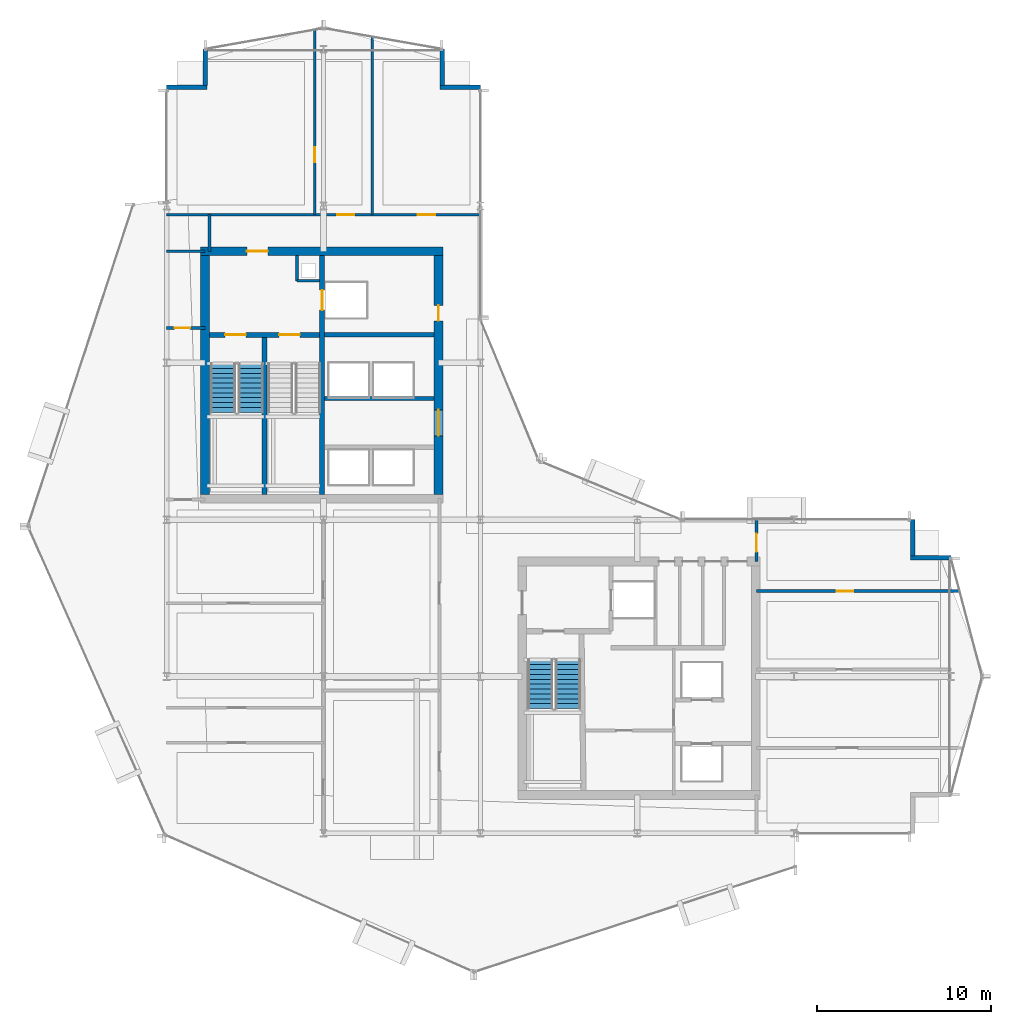
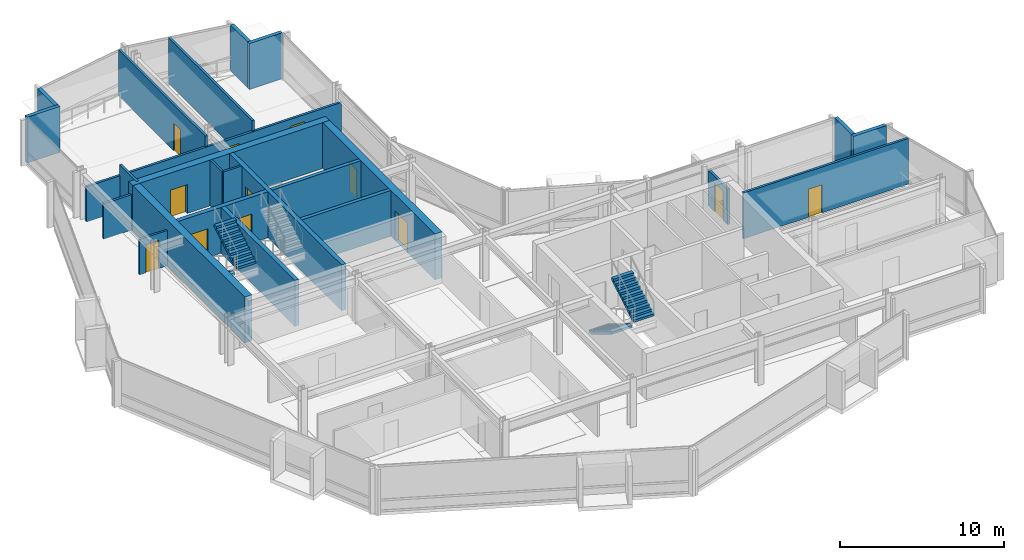
# One storey, part 23 of 29: 24 walls, 12 doors, 4 stair flights, 12 openings, 2 elements without a shape of their own.
"""IFC4 building model written with IfcOpenShell, lengths in metres."""

from ifc_helpers import new_model, si_unit, direction, frame, frame_2d, origin, place, context, subcontext, project, spatial, polyline, rectangle, outline, extrude, material, layer, layer_set, type_object, element, fill, aggregate, save


model = new_model("IFC4")

# Units and contexts
model_context = context("Model", 3, precision=1e-05, world=origin(), true_north=direction((0.0, 1.0)))
body_context = subcontext(model_context, "Body", "Model", "MODEL_VIEW")
ifc_project = project(units=[si_unit("LENGTHUNIT", "METRE"), si_unit("AREAUNIT", "SQUARE_METRE"), si_unit("VOLUMEUNIT", "CUBIC_METRE"), si_unit("PLANEANGLEUNIT", "RADIAN"), si_unit("MASSUNIT", "GRAM", prefix="KILO")], contexts=[model_context])

# Site, building, storey
site_placement = place(None, origin())
site = spatial("IfcSite", under=ifc_project, at=site_placement, CompositionType="ELEMENT")
building_placement = place(site_placement, origin())
building = spatial("IfcBuilding", under=site, at=building_placement, Name="Solvaryn Broadcast Tower", CompositionType="ELEMENT")
storey_placement = place(building_placement, frame((0.0, 0.0, 147.0)))
storey = spatial("IfcBuildingStorey", under=building, at=storey_placement, Name="L36", CompositionType="ELEMENT", Elevation=147.0)

# Wall, opening, door
ifc_material_1 = material(Name="Concrete f'c 70 MPa", Category="concrete")
ifc_layer_1 = layer(ifc_material_1, 0.5)
ifc_layer_set_1 = layer_set([ifc_layer_1], Name="CW-SHEAR-500")
wall_type_1 = type_object("IfcWallType", Name="CW-SHEAR-500", PredefinedType="SHEAR", material=ifc_layer_set_1)
wall_1_placement = place(storey_placement, frame((24.85009765625, 42.39990234375, 0.0), z_axis=(0.0, 0.0, 1.0), x_axis=(-1.0, 0.0, 0.0)))
wall_1 = element("IfcWall", 1, at=wall_1_placement, inside=storey, type_object=wall_type_1, Name="L36 West Core North Shear Wall", PredefinedType="SHEAR", context=body_context, shape_type="SweptSolid", body=[
    extrude(rectangle(XDim=13.900146484375, YDim=0.5, at=frame_2d((6.9501953125, 0.0))), origin(), (0.0, 0.0, 1.0), 3.419921875),
])
opening_1_placement = place(wall_1_placement, frame((10.050048828125, 0.0, 0.0)))
opening_1 = element("IfcOpeningElement", 2, at=opening_1_placement, cuts=wall_1, Name="Opening FD90A", PredefinedType="OPENING", context=body_context, shape_type="SweptSolid", body=[
    extrude(rectangle(XDim=1.199951171875, YDim=2.14990234375, at=frame_2d((0.60009765625, 1.074951171875))), frame((0.0, 0.260009765625, 0.0), z_axis=(0.0, -1.0, 0.0), x_axis=(1.0, 0.0, 0.0)), (0.0, 0.0, 1.0), 0.52001953125),
])
ifc_material_2 = material(Name="Flush Acoustic Steel and Timber Door Assembly", Category="steel")
door_type_1 = type_object("IfcDoorType", Name="FD90-STAIR-1200X2150", OperationType="NOTDEFINED", PredefinedType="DOOR", material=ifc_material_2)
door_1_placement = place(opening_1_placement, origin())
door_1 = element("IfcDoor", 3, at=door_1_placement, inside=storey, type_object=door_type_1, Name="L36 West FSAE Lobby Corridor Door", OperationType="SINGLE_SWING_LEFT", OverallHeight=2.14990234375, OverallWidth=1.199951171875, PredefinedType="DOOR", context=body_context, shape_type="SweptSolid", body=[
    extrude(rectangle(XDim=1.199951171875, YDim=2.14990234375, at=frame_2d((0.60009765625, 1.074951171875))), frame((0.0, 0.02490234375, 0.0), z_axis=(0.0, -1.0, 0.0), x_axis=(1.0, 0.0, 0.0)), (0.0, 0.0, 1.0), 0.050048828125),
])
fill(opening_1, door_1)

# Wall
wall_2_placement = place(storey_placement, frame((11.199951171875, 42.14990234375, 0.0), z_axis=(0.0, 0.0, 1.0), x_axis=(0.0, -1.0, 0.0)))
element("IfcWall", 4, at=wall_2_placement, inside=storey, type_object=wall_type_1, Name="L36 West Core West Shear Wall", PredefinedType="SHEAR", context=body_context, shape_type="SweptSolid", body=[
    extrude(rectangle(XDim=13.699951171875, YDim=0.5, at=frame_2d((6.85009765625, 0.0))), origin(), (0.0, 0.0, 1.0), 3.419921875),
])

# Wall, openings, doors
wall_3_placement = place(storey_placement, frame((24.60009765625, 28.449951171875, 0.0), z_axis=(0.0, 0.0, 1.0), x_axis=(0.0, 1.0, 0.0)))
wall_3 = element("IfcWall", 5, at=wall_3_placement, inside=storey, type_object=wall_type_1, Name="L36 West Core East Shear Wall", PredefinedType="SHEAR", context=body_context, shape_type="SweptSolid", body=[
    extrude(rectangle(XDim=13.699951171875, YDim=0.5, at=frame_2d((6.85009765625, 0.0))), origin(), (0.0, 0.0, 1.0), 3.419921875),
])
opening_2_placement = place(wall_3_placement, frame((3.35009765625, 0.0, 0.0)))
opening_2 = element("IfcOpeningElement", 6, at=opening_2_placement, cuts=wall_3, Name="Opening FD60A", PredefinedType="OPENING", context=body_context, shape_type="SweptSolid", body=[
    extrude(rectangle(XDim=1.5, YDim=2.199951171875, at=frame_2d((0.75, 1.10009765625))), frame((0.0, 0.260009765625, 0.0), z_axis=(0.0, -1.0, 0.0), x_axis=(1.0, 0.0, 0.0)), (0.0, 0.0, 1.0), 0.52001953125),
])
opening_3_placement = place(wall_3_placement, frame((9.949951171875, 0.0, 0.0)))
opening_3 = element("IfcOpeningElement", 7, at=opening_3_placement, cuts=wall_3, Name="Opening FD60C", PredefinedType="OPENING", context=body_context, shape_type="SweptSolid", body=[
    extrude(rectangle(XDim=0.89990234375, YDim=2.10009765625, at=frame_2d((0.449951171875, 1.050048828125))), frame((0.0, 0.260009765625, 0.0), z_axis=(0.0, -1.0, 0.0), x_axis=(1.0, 0.0, 0.0)), (0.0, 0.0, 1.0), 0.52001953125),
])
ifc_material_3 = material(Name="Flush Acoustic Steel and Timber Door Assembly", Category="steel")
door_type_2 = type_object("IfcDoorType", Name="FD60-CORR-1500X2200", OperationType="NOTDEFINED", PredefinedType="DOOR", material=ifc_material_3)
door_2_placement = place(opening_2_placement, origin())
door_2 = element("IfcDoor", 8, at=door_2_placement, inside=storey, type_object=door_type_2, Name="L36 West Elevator Lobby Corridor Door", OperationType="DOUBLE_DOOR_SINGLE_SWING", OverallHeight=2.199951171875, OverallWidth=1.5, PredefinedType="DOOR", context=body_context, shape_type="SweptSolid", body=[
    extrude(rectangle(XDim=1.5, YDim=2.199951171875, at=frame_2d((0.75, 1.10009765625))), frame((0.0, 0.02490234375, 0.0), z_axis=(0.0, -1.0, 0.0), x_axis=(1.0, 0.0, 0.0)), (0.0, 0.0, 1.0), 0.050048828125),
])
fill(opening_2, door_2)
ifc_material_4 = material(Name="Flush Acoustic Steel and Timber Door Assembly", Category="steel")
door_type_3 = type_object("IfcDoorType", Name="FD60-SERV-900X2100", OperationType="NOTDEFINED", PredefinedType="DOOR", material=ifc_material_4)
door_3_placement = place(opening_3_placement, origin())
door_3 = element("IfcDoor", 9, at=door_3_placement, inside=storey, type_object=door_type_3, Name="L36 West Core Service Door 1", OperationType="SINGLE_SWING_LEFT", OverallHeight=2.10009765625, OverallWidth=0.89990234375, PredefinedType="DOOR", context=body_context, shape_type="SweptSolid", body=[
    extrude(rectangle(XDim=0.89990234375, YDim=2.10009765625, at=frame_2d((0.449951171875, 1.050048828125))), frame((0.0, 0.02490234375, 0.0), z_axis=(0.0, -1.0, 0.0), x_axis=(1.0, 0.0, 0.0)), (0.0, 0.0, 1.0), 0.050048828125),
])
fill(opening_3, door_3)

# Walls
ifc_material_5 = material(Name="Concrete f'c 50 MPa", Category="concrete")
ifc_layer_2 = layer(ifc_material_5, 0.260009765625)
ifc_layer_set_2 = layer_set([ifc_layer_2], Name="EW-PIER-260")
wall_type_2 = type_object("IfcWallType", Name="EW-PIER-260", PredefinedType="SOLIDWALL", material=ifc_layer_set_2)
wall_4_placement = place(storey_placement, frame((9.0, 51.800048828125, 0.0), z_axis=(0.0, 0.0, 1.0), x_axis=(1.0, 0.0, 0.0)))
element("IfcWall", 10, at=wall_4_placement, inside=storey, type_object=wall_type_2, Name="L36 Notched Corner Pier Wall NNW1", PredefinedType="SOLIDWALL", context=body_context, shape_type="SweptSolid", body=[
    extrude(rectangle(XDim=2.320068359375, YDim=0.260009765625, at=frame_2d((1.16015625, 0.0))), origin(), (0.0, 0.0, 1.0), 3.419921875),
])
for number, where, z_axis, x_axis, name in (
    (11, (11.199951171875, 51.919921875, 0.0), (0.0, 0.0, 1.0), (0.0, 1.0, 0.0), "L36 Notched Corner Pier Wall NNW2"),
    (12, (24.800048828125, 54.0, 0.0), (0.0, 0.0, 1.0), (0.0, -1.0, 0.0), "L36 Notched Corner Pier Wall NNE1"),
):
    element("IfcWall", number, at=place(storey_placement, frame(where, z_axis=z_axis, x_axis=x_axis)), inside=storey, type_object=wall_type_2, Name=name, PredefinedType="SOLIDWALL", context=body_context, shape_type="SweptSolid", body=[
        extrude(rectangle(XDim=2.080078125, YDim=0.260009765625, at=frame_2d((1.0400390625, 0.0))), origin(), (0.0, 0.0, 1.0), 3.419921875),
    ])
for number, where, z_axis, x_axis, name in (
    (13, (24.679931640625, 51.800048828125, 0.0), (0.0, 0.0, 1.0), (1.0, 0.0, 0.0), "L36 Notched Corner Pier Wall NNE2"),
    (14, (54.0, 24.800048828125, 0.0), (0.0, 0.0, 1.0), (-1.0, 0.0, 0.0), "L36 Notched Corner Pier Wall NEE1"),
):
    element("IfcWall", number, at=place(storey_placement, frame(where, z_axis=z_axis, x_axis=x_axis)), inside=storey, type_object=wall_type_2, Name=name, PredefinedType="SOLIDWALL", context=body_context, shape_type="SweptSolid", body=[
        extrude(rectangle(XDim=2.320068359375, YDim=0.260009765625, at=frame_2d((1.16015625, 0.0))), origin(), (0.0, 0.0, 1.0), 3.419921875),
    ])
wall_5_placement = place(storey_placement, frame((51.800048828125, 24.919921875, 0.0), z_axis=(0.0, 0.0, 1.0), x_axis=(0.0, 1.0, 0.0)))
element("IfcWall", 15, at=wall_5_placement, inside=storey, type_object=wall_type_2, Name="L36 Notched Corner Pier Wall NEE2", PredefinedType="SOLIDWALL", context=body_context, shape_type="SweptSolid", body=[
    extrude(rectangle(XDim=2.080078125, YDim=0.260009765625, at=frame_2d((1.0400390625, 0.0))), origin(), (0.0, 0.0, 1.0), 3.419921875),
])
ifc_material_6 = material(Name="Metal-Stud Service Core Partition")
ifc_layer_3 = layer(ifc_material_6, 0.14990234375)
ifc_layer_set_3 = layer_set([ifc_layer_3], Name="IW-PART-150")
wall_type_3 = type_object("IfcWallType", Name="IW-PART-150", PredefinedType="PARTITIONING", material=ifc_layer_set_3)
wall_6_placement = place(storey_placement, frame((16.47998046875, 40.699951171875, 0.0), z_axis=(0.0, 0.0, 1.0), x_axis=(1.0, 0.0, 0.0)))
element("IfcWall", 16, at=wall_6_placement, inside=storey, type_object=wall_type_3, Name="L36 West Core Riser Shaft South Wall", PredefinedType="PARTITIONING", context=body_context, shape_type="SweptSolid", body=[
    extrude(rectangle(XDim=1.2900390625, YDim=0.14990234375, at=frame_2d((0.64501953125, 0.0))), origin(), (0.0, 0.0, 1.0), 3.419921875),
])
wall_7_placement = place(storey_placement, frame((16.47998046875, 40.699951171875, 0.0), z_axis=(0.0, 0.0, 1.0), x_axis=(0.0, 1.0, 0.0)))
element("IfcWall", 17, at=wall_7_placement, inside=storey, type_object=wall_type_3, Name="L36 West Core Riser Shaft West Wall", PredefinedType="PARTITIONING", context=body_context, shape_type="SweptSolid", body=[
    extrude(rectangle(XDim=1.449951171875, YDim=0.14990234375, at=frame_2d((0.72509765625, 0.0))), origin(), (0.0, 0.0, 1.0), 3.419921875),
])

# Wall, opening, door
wall_8_placement = place(storey_placement, frame((9.0, 38.0, 0.0), z_axis=(0.0, 0.0, 1.0), x_axis=(1.0, 0.0, 0.0)))
wall_8 = element("IfcWall", 18, at=wall_8_placement, inside=storey, type_object=wall_type_3, Name="L36 Interior Partition IW-L36-WM-M", PredefinedType="PARTITIONING", context=body_context, shape_type="SweptSolid", body=[
    extrude(rectangle(XDim=2.199951171875, YDim=0.14990234375, at=frame_2d((1.10009765625, 0.0))), origin(), (0.0, 0.0, 1.0), 2.634033203125),
])
opening_4_placement = place(wall_8_placement, frame((0.449951171875, 0.0, 0.0)))
opening_4 = element("IfcOpeningElement", 19, at=opening_4_placement, cuts=wall_8, Name="Opening FD60C", PredefinedType="OPENING", context=body_context, shape_type="SweptSolid", body=[
    extrude(rectangle(XDim=0.89990234375, YDim=2.10009765625, at=frame_2d((0.449951171875, 1.050048828125))), frame((0.0, 0.0849609375, 0.0), z_axis=(0.0, -1.0, 0.0), x_axis=(1.0, 0.0, 0.0)), (0.0, 0.0, 1.0), 0.169921875),
])
door_4_placement = place(opening_4_placement, origin())
door_4 = element("IfcDoor", 20, at=door_4_placement, inside=storey, type_object=door_type_3, Name="L36 Door DR-L36-WM1", OperationType="SINGLE_SWING_LEFT", OverallHeight=2.10009765625, OverallWidth=0.89990234375, PredefinedType="DOOR", context=body_context, shape_type="SweptSolid", body=[
    extrude(rectangle(XDim=0.89990234375, YDim=2.10009765625, at=frame_2d((0.449951171875, 1.050048828125))), frame((0.0, 0.02490234375, 0.0), z_axis=(0.0, -1.0, 0.0), x_axis=(1.0, 0.0, 0.0)), (0.0, 0.0, 1.0), 0.050048828125),
])
fill(opening_4, door_4)

# Walls
ifc_material_7 = material(Name="Metal-Stud Gypsum Office Partition")
ifc_layer_4 = layer(ifc_material_7, 0.159912109375)
ifc_layer_set_4 = layer_set([ifc_layer_4], Name="IW-PART-160")
wall_type_4 = type_object("IfcWallType", Name="IW-PART-160", PredefinedType="PARTITIONING", material=ifc_layer_set_4)
wall_9_placement = place(storey_placement, frame((9.0, 42.39990234375, 0.0), z_axis=(0.0, 0.0, 1.0), x_axis=(1.0, 0.0, 0.0)))
element("IfcWall", 21, at=wall_9_placement, inside=storey, type_object=wall_type_4, Name="L36 Interior Partition IW-L36-WM-N", PredefinedType="PARTITIONING", context=body_context, shape_type="SweptSolid", body=[
    extrude(rectangle(XDim=2.199951171875, YDim=0.159912109375, at=frame_2d((1.10009765625, 0.0))), origin(), (0.0, 0.0, 1.0), 2.634033203125),
])
wall_10_placement = place(storey_placement, frame((11.449951171875, 42.39990234375, 0.0), z_axis=(0.0, 0.0, 1.0), x_axis=(0.0, 1.0, 0.0)))
element("IfcWall", 22, at=wall_10_placement, inside=storey, type_object=wall_type_4, Name="L36 Interior Partition IW-L36-WM-E", PredefinedType="PARTITIONING", context=body_context, shape_type="SweptSolid", body=[
    extrude(rectangle(XDim=2.10009765625, YDim=0.159912109375, at=frame_2d((1.050048828125, 0.0))), origin(), (0.0, 0.0, 1.0), 3.419921875),
])

# Wall, openings, doors
wall_11_placement = place(storey_placement, frame((9.0, 44.5, 0.0), z_axis=(0.0, 0.0, 1.0), x_axis=(1.0, 0.0, 0.0)))
wall_11 = element("IfcWall", 23, at=wall_11_placement, inside=storey, type_object=wall_type_4, Name="L36 Interior Partition IW-L36-NW-SB", PredefinedType="PARTITIONING", context=body_context, shape_type="SweptSolid", body=[
    extrude(rectangle(XDim=18.0, YDim=0.159912109375, at=frame_2d((9.0, 0.0))), origin(), (0.0, 0.0, 1.0), 2.634033203125),
])
opening_5_placement = place(wall_11_placement, frame((9.800048828125, 0.0, 0.0)))
opening_5 = element("IfcOpeningElement", 24, at=opening_5_placement, cuts=wall_11, Name="Opening ID01", PredefinedType="OPENING", context=body_context, shape_type="SweptSolid", body=[
    extrude(rectangle(XDim=0.949951171875, YDim=2.10009765625, at=frame_2d((0.47509765625, 1.050048828125))), frame((0.0, 0.090087890625, 0.0), z_axis=(0.0, -1.0, 0.0), x_axis=(1.0, 0.0, 0.0)), (0.0, 0.0, 1.0), 0.179931640625),
])
opening_6_placement = place(wall_11_placement, frame((14.39990234375, 0.0, 0.0)))
opening_6 = element("IfcOpeningElement", 25, at=opening_6_placement, cuts=wall_11, Name="Opening ID02", PredefinedType="OPENING", context=body_context, shape_type="SweptSolid", body=[
    extrude(rectangle(XDim=1.0, YDim=2.10009765625, at=frame_2d((0.5, 1.050048828125))), frame((0.0, 0.090087890625, 0.0), z_axis=(0.0, -1.0, 0.0), x_axis=(1.0, 0.0, 0.0)), (0.0, 0.0, 1.0), 0.179931640625),
])
ifc_material_8 = material(Name="Flush Acoustic Steel and Timber Door Assembly", Category="steel")
door_type_4 = type_object("IfcDoorType", Name="ID-01-950X2100", OperationType="NOTDEFINED", PredefinedType="DOOR", material=ifc_material_8)
door_5_placement = place(opening_5_placement, origin())
door_5 = element("IfcDoor", 26, at=door_5_placement, inside=storey, type_object=door_type_4, Name="L36 Door DR-L36-NW-2", OperationType="SINGLE_SWING_RIGHT", OverallHeight=2.10009765625, OverallWidth=0.949951171875, PredefinedType="DOOR", context=body_context, shape_type="SweptSolid", body=[
    extrude(rectangle(XDim=0.949951171875, YDim=2.10009765625, at=frame_2d((0.47509765625, 1.050048828125))), frame((0.0, 0.02490234375, 0.0), z_axis=(0.0, -1.0, 0.0), x_axis=(1.0, 0.0, 0.0)), (0.0, 0.0, 1.0), 0.050048828125),
])
fill(opening_5, door_5)
ifc_material_9 = material(Name="Flush Acoustic Steel and Timber Door Assembly", Category="steel")
door_type_5 = type_object("IfcDoorType", Name="ID-02-1000X2100", OperationType="NOTDEFINED", PredefinedType="DOOR", material=ifc_material_9)
door_6_placement = place(opening_6_placement, origin())
door_6 = element("IfcDoor", 27, at=door_6_placement, inside=storey, type_object=door_type_5, Name="L36 Door DR-L36-NW-3", OperationType="SINGLE_SWING_LEFT", OverallHeight=2.10009765625, OverallWidth=1.0, PredefinedType="DOOR", context=body_context, shape_type="SweptSolid", body=[
    extrude(rectangle(XDim=1.0, YDim=2.10009765625, at=frame_2d((0.5, 1.050048828125))), frame((0.0, 0.02490234375, 0.0), z_axis=(0.0, -1.0, 0.0), x_axis=(1.0, 0.0, 0.0)), (0.0, 0.0, 1.0), 0.050048828125),
])
fill(opening_6, door_6)

# Wall, opening, door
wall_12_placement = place(storey_placement, frame((17.5, 44.5, 0.0), z_axis=(0.0, 0.0, 1.0), x_axis=(0.0, 1.0, 0.0)))
wall_12 = element("IfcWall", 28, at=wall_12_placement, inside=storey, type_object=wall_type_4, Name="L36 Interior Partition IW-L36-NW-V1", PredefinedType="PARTITIONING", context=body_context, shape_type="SweptSolid", body=[
    extrude(rectangle(XDim=10.612060546875, YDim=0.159912109375, at=frame_2d((5.30615234375, 0.0))), origin(), (0.0, 0.0, 1.0), 3.419921875),
])
opening_7_placement = place(wall_12_placement, frame((3.0, 0.0, 0.0)))
opening_7 = element("IfcOpeningElement", 29, at=opening_7_placement, cuts=wall_12, Name="Opening ID07", PredefinedType="OPENING", context=body_context, shape_type="SweptSolid", body=[
    extrude(rectangle(XDim=0.860107421875, YDim=2.050048828125, at=frame_2d((0.43017578125, 1.02490234375))), frame((0.0, 0.090087890625, 0.0), z_axis=(0.0, -1.0, 0.0), x_axis=(1.0, 0.0, 0.0)), (0.0, 0.0, 1.0), 0.179931640625),
])
ifc_material_10 = material(Name="Flush Acoustic Steel and Timber Door Assembly", Category="steel")
door_type_6 = type_object("IfcDoorType", Name="ID-07-860X2050", OperationType="NOTDEFINED", PredefinedType="DOOR", material=ifc_material_10)
door_7_placement = place(opening_7_placement, origin())
door_7 = element("IfcDoor", 30, at=door_7_placement, inside=storey, type_object=door_type_6, Name="L36 Door DR-L36-NW-C1", OperationType="SINGLE_SWING_LEFT", OverallHeight=2.050048828125, OverallWidth=0.860107421875, PredefinedType="DOOR", context=body_context, shape_type="SweptSolid", body=[
    extrude(rectangle(XDim=0.860107421875, YDim=2.050048828125, at=frame_2d((0.43017578125, 1.02490234375))), frame((0.0, 0.02490234375, 0.0), z_axis=(0.0, -1.0, 0.0), x_axis=(1.0, 0.0, 0.0)), (0.0, 0.0, 1.0), 0.050048828125),
])
fill(opening_7, door_7)

# Wall
wall_13_placement = place(storey_placement, frame((20.800048828125, 44.5, 0.0), z_axis=(0.0, 0.0, 1.0), x_axis=(0.0, 1.0, 0.0)))
element("IfcWall", 31, at=wall_13_placement, inside=storey, type_object=wall_type_4, Name="L36 Interior Partition IW-L36-NW-V2", PredefinedType="PARTITIONING", context=body_context, shape_type="SweptSolid", body=[
    extrude(rectangle(XDim=10.2060546875, YDim=0.159912109375, at=frame_2d((5.10302734375, 0.0))), origin(), (0.0, 0.0, 1.0), 3.419921875),
])

# Wall, opening, door
wall_14_placement = place(storey_placement, frame((42.85009765625, 24.60009765625, 0.0), z_axis=(0.0, 0.0, 1.0), x_axis=(0.0, 1.0, 0.0)))
wall_14 = element("IfcWall", 32, at=wall_14_placement, inside=storey, type_object=wall_type_4, Name="L36 Interior Partition IW-L36-EW-BN", PredefinedType="PARTITIONING", context=body_context, shape_type="SweptSolid", body=[
    extrude(rectangle(XDim=2.39990234375, YDim=0.159912109375, at=frame_2d((1.199951171875, 0.0))), origin(), (0.0, 0.0, 1.0), 2.634033203125),
])
opening_8_placement = place(wall_14_placement, frame((0.550048828125, 0.0, 0.0)))
opening_8 = element("IfcOpeningElement", 33, at=opening_8_placement, cuts=wall_14, Name="Opening ID03", PredefinedType="OPENING", context=body_context, shape_type="SweptSolid", body=[
    extrude(rectangle(XDim=1.050048828125, YDim=2.14990234375, at=frame_2d((0.52490234375, 1.074951171875))), frame((0.0, 0.090087890625, 0.0), z_axis=(0.0, -1.0, 0.0), x_axis=(1.0, 0.0, 0.0)), (0.0, 0.0, 1.0), 0.179931640625),
])
ifc_material_11 = material(Name="Flush Acoustic Steel and Timber Door Assembly", Category="steel")
door_type_7 = type_object("IfcDoorType", Name="ID-03-1050X2150", OperationType="NOTDEFINED", PredefinedType="DOOR", material=ifc_material_11)
door_8_placement = place(opening_8_placement, origin())
door_8 = element("IfcDoor", 34, at=door_8_placement, inside=storey, type_object=door_type_7, Name="L36 Door DR-L36-EW0", OperationType="SINGLE_SWING_RIGHT", OverallHeight=2.14990234375, OverallWidth=1.050048828125, PredefinedType="DOOR", context=body_context, shape_type="SweptSolid", body=[
    extrude(rectangle(XDim=1.050048828125, YDim=2.14990234375, at=frame_2d((0.52490234375, 1.074951171875))), frame((0.0, 0.02490234375, 0.0), z_axis=(0.0, -1.0, 0.0), x_axis=(1.0, 0.0, 0.0)), (0.0, 0.0, 1.0), 0.050048828125),
])
fill(opening_8, door_8)

wall_15_placement = place(storey_placement, frame((42.85009765625, 22.89990234375, 0.0), z_axis=(0.0, 0.0, 1.0), x_axis=(1.0, 0.0, 0.0)))
wall_15 = element("IfcWall", 35, at=wall_15_placement, inside=storey, type_object=wall_type_4, Name="L36 Interior Partition IW-L36-EW-H3", PredefinedType="PARTITIONING", context=body_context, shape_type="SweptSolid", body=[
    extrude(rectangle(XDim=11.65283203125, YDim=0.159912109375, at=frame_2d((5.826416015625, 0.0))), origin(), (0.0, 0.0, 1.0), 3.419921875),
])
opening_9_placement = place(wall_15_placement, frame((4.60009765625, 0.0, 0.0)))
opening_9 = element("IfcOpeningElement", 36, at=opening_9_placement, cuts=wall_15, Name="Opening ID01", PredefinedType="OPENING", context=body_context, shape_type="SweptSolid", body=[
    extrude(rectangle(XDim=0.949951171875, YDim=2.10009765625, at=frame_2d((0.47509765625, 1.050048828125))), frame((0.0, 0.090087890625, 0.0), z_axis=(0.0, -1.0, 0.0), x_axis=(1.0, 0.0, 0.0)), (0.0, 0.0, 1.0), 0.179931640625),
])
door_9_placement = place(opening_9_placement, origin())
door_9 = element("IfcDoor", 37, at=door_9_placement, inside=storey, type_object=door_type_4, Name="L36 Door DR-L36-EW-3", OperationType="SINGLE_SWING_LEFT", OverallHeight=2.10009765625, OverallWidth=0.949951171875, PredefinedType="DOOR", context=body_context, shape_type="SweptSolid", body=[
    extrude(rectangle(XDim=0.949951171875, YDim=2.10009765625, at=frame_2d((0.47509765625, 1.050048828125))), frame((0.0, 0.02490234375, 0.0), z_axis=(0.0, -1.0, 0.0), x_axis=(1.0, 0.0, 0.0)), (0.0, 0.0, 1.0), 0.050048828125),
])
fill(opening_9, door_9)

# Walls
ifc_material_12 = material(Name="Concrete f'c 60 MPa", Category="concrete")
ifc_layer_5 = layer(ifc_material_12, 0.25)
ifc_layer_set_5 = layer_set([ifc_layer_5], Name="SW-SHAFT-250")
wall_type_5 = type_object("IfcWallType", Name="SW-SHAFT-250", PredefinedType="PARTITIONING", material=ifc_layer_set_5)
for number, where, z_axis, x_axis, name in (
    (38, (18.070068359375, 37.60009765625, 0.0), (0.0, 0.0, 1.0), (1.0, 0.0, 0.0), "L36 West Core FSAE Hoistway Front Wall"),
    (39, (24.35009765625, 33.949951171875, 0.0), (0.0, 0.0, 1.0), (-1.0, 0.0, 0.0), "L36 High-Rise Lift Bank North Wall"),
):
    element("IfcWall", number, at=place(storey_placement, frame(where, z_axis=z_axis, x_axis=x_axis)), inside=storey, type_object=wall_type_5, Name=name, PredefinedType="PARTITIONING", context=body_context, shape_type="SweptSolid", body=[
        extrude(rectangle(XDim=6.280029296875, YDim=0.25, at=frame_2d((3.14013671875, 0.0))), origin(), (0.0, 0.0, 1.0), 3.419921875),
    ])
ifc_material_13 = material(Name="Concrete f'c 70 MPa", Category="concrete")
ifc_layer_6 = layer(ifc_material_13, 0.300048828125)
ifc_layer_set_6 = layer_set([ifc_layer_6], Name="SW-SHAFT-300")
wall_type_6 = type_object("IfcWallType", Name="SW-SHAFT-300", PredefinedType="SHEAR", material=ifc_layer_set_6)
wall_16_placement = place(storey_placement, frame((14.6201171875, 28.449951171875, 0.0), z_axis=(0.0, 0.0, 1.0), x_axis=(0.0, 1.0, 0.0)))
element("IfcWall", 40, at=wall_16_placement, inside=storey, type_object=wall_type_6, Name="L36 Stair 1-2 Dividing Wall", PredefinedType="SHEAR", context=body_context, shape_type="SweptSolid", body=[
    extrude(rectangle(XDim=9.0, YDim=0.300048828125, at=frame_2d((4.5, 0.0))), origin(), (0.0, 0.0, 1.0), 3.419921875),
])

# Wall, opening, door
wall_17_placement = place(storey_placement, frame((17.919921875, 42.14990234375, 0.0), z_axis=(0.0, 0.0, 1.0), x_axis=(0.0, -1.0, 0.0)))
wall_17 = element("IfcWall", 41, at=wall_17_placement, inside=storey, type_object=wall_type_6, Name="L36 West Core Stair-Lobby Shear Wall", PredefinedType="SHEAR", context=body_context, shape_type="SweptSolid", body=[
    extrude(rectangle(XDim=13.699951171875, YDim=0.300048828125, at=frame_2d((6.85009765625, 0.0))), origin(), (0.0, 0.0, 1.0), 3.419921875),
])
opening_10_placement = place(wall_17_placement, frame((1.97509765625, 0.0, 0.0)))
opening_10 = element("IfcOpeningElement", 42, at=opening_10_placement, cuts=wall_17, Name="Opening LD01", PredefinedType="OPENING", context=body_context, shape_type="SweptSolid", body=[
    extrude(rectangle(XDim=1.14990234375, YDim=2.14990234375, at=frame_2d((0.574951171875, 1.074951171875))), frame((0.0, 0.159912109375, 0.0), z_axis=(0.0, -1.0, 0.0), x_axis=(1.0, 0.0, 0.0)), (0.0, 0.0, 1.0), 0.320068359375),
])
ifc_material_14 = material(Name="Flush Acoustic Steel and Timber Door Assembly", Category="steel")
door_type_8 = type_object("IfcDoorType", Name="LD-LIFT-1150X2150", OperationType="NOTDEFINED", PredefinedType="DOOR", material=ifc_material_14)
door_10_placement = place(opening_10_placement, origin())
door_10 = element("IfcDoor", 43, at=door_10_placement, inside=storey, type_object=door_type_8, Name="L36 FL1 Lift Landing Door", OperationType="DOUBLE_DOOR_SLIDING", OverallHeight=2.14990234375, OverallWidth=1.14990234375, PredefinedType="DOOR", context=body_context, shape_type="SweptSolid", body=[
    extrude(rectangle(XDim=1.14990234375, YDim=2.14990234375, at=frame_2d((0.574951171875, 1.074951171875))), frame((0.0, 0.02490234375, 0.0), z_axis=(0.0, -1.0, 0.0), x_axis=(1.0, 0.0, 0.0)), (0.0, 0.0, 1.0), 0.050048828125),
])
fill(opening_10, door_10)

# Wall, openings, doors
wall_18_placement = place(storey_placement, frame((17.77001953125, 37.60009765625, 0.0), z_axis=(0.0, 0.0, 1.0), x_axis=(-1.0, 0.0, 0.0)))
wall_18 = element("IfcWall", 44, at=wall_18_placement, inside=storey, type_object=wall_type_6, Name="L36 West Core FSAE Lobby South Wall", PredefinedType="SHEAR", context=body_context, shape_type="SweptSolid", body=[
    extrude(rectangle(XDim=6.320068359375, YDim=0.300048828125, at=frame_2d((3.16015625, 0.0))), origin(), (0.0, 0.0, 1.0), 3.419921875),
])
opening_11_placement = place(wall_18_placement, frame((4.219970703125, 0.0, 0.0)))
opening_11 = element("IfcOpeningElement", 45, at=opening_11_placement, cuts=wall_18, Name="Opening FD90A", PredefinedType="OPENING", context=body_context, shape_type="SweptSolid", body=[
    extrude(rectangle(XDim=1.199951171875, YDim=2.14990234375, at=frame_2d((0.60009765625, 1.074951171875))), frame((0.0, 0.159912109375, 0.0), z_axis=(0.0, -1.0, 0.0), x_axis=(1.0, 0.0, 0.0)), (0.0, 0.0, 1.0), 0.320068359375),
])
opening_12_placement = place(wall_18_placement, frame((1.1201171875, 0.0, 0.0)))
opening_12 = element("IfcOpeningElement", 46, at=opening_12_placement, cuts=wall_18, Name="Opening FD90A", PredefinedType="OPENING", context=body_context, shape_type="SweptSolid", body=[
    extrude(rectangle(XDim=1.199951171875, YDim=2.14990234375, at=frame_2d((0.60009765625, 1.074951171875))), frame((0.0, 0.159912109375, 0.0), z_axis=(0.0, -1.0, 0.0), x_axis=(1.0, 0.0, 0.0)), (0.0, 0.0, 1.0), 0.320068359375),
])
door_11_placement = place(opening_11_placement, origin())
door_11 = element("IfcDoor", 47, at=door_11_placement, inside=storey, type_object=door_type_1, Name="L36 Stair 1 Fire Door", OperationType="SINGLE_SWING_LEFT", OverallHeight=2.14990234375, OverallWidth=1.199951171875, PredefinedType="DOOR", context=body_context, shape_type="SweptSolid", body=[
    extrude(rectangle(XDim=1.199951171875, YDim=2.14990234375, at=frame_2d((0.60009765625, 1.074951171875))), frame((0.0, 0.02490234375, 0.0), z_axis=(0.0, -1.0, 0.0), x_axis=(1.0, 0.0, 0.0)), (0.0, 0.0, 1.0), 0.050048828125),
])
fill(opening_11, door_11)
door_12_placement = place(opening_12_placement, origin())
door_12 = element("IfcDoor", 48, at=door_12_placement, inside=storey, type_object=door_type_1, Name="L36 Stair 2 Fire Door", OperationType="SINGLE_SWING_RIGHT", OverallHeight=2.14990234375, OverallWidth=1.199951171875, PredefinedType="DOOR", context=body_context, shape_type="SweptSolid", body=[
    extrude(rectangle(XDim=1.199951171875, YDim=2.14990234375, at=frame_2d((0.60009765625, 1.074951171875))), frame((0.0, 0.02490234375, 0.0), z_axis=(0.0, -1.0, 0.0), x_axis=(1.0, 0.0, 0.0)), (0.0, 0.0, 1.0), 0.050048828125),
])
fill(opening_12, door_12)

# Stair, stair flights
ifc_material_15 = material(Name="Concrete f'c 60 MPa", Category="concrete")
stair_type = type_object("IfcStairType", Name="ST-CORE", PredefinedType="HALF_TURN_STAIR", material=ifc_material_15)
stair_1_placement = place(storey_placement, origin())
stair_1 = element("IfcStair", 49, at=stair_1_placement, inside=storey, type_object=stair_type, Name="L36 ST1", PredefinedType="HALF_TURN_STAIR")
ifc_material_16 = material(Name="Concrete f'c 60 MPa", Category="concrete")
ifc_layer_7 = layer(ifc_material_16, 0.159912109375)
ifc_layer_set_7 = layer_set([ifc_layer_7], Name="SF-CORE")
stair_flight_type = type_object("IfcStairFlightType", Name="SF-CORE", PredefinedType="STRAIGHT", material=ifc_layer_set_7)
stair_flight_1_placement = place(storey_placement, frame((12.239990234375, 35.9599609375, 0.0), z_axis=(0.0, 0.0, 1.0), x_axis=(0.0, -1.0, 0.0)))
stair_flight_1 = element("IfcStairFlight", 50, at=stair_flight_1_placement, type_object=stair_flight_type, Name="ST1 flight 1", NumberOfRisers=11, NumberOfTreads=10, PredefinedType="STRAIGHT", RiserHeight=0.168181818, TreadLength=0.28, context=body_context, shape_type="SweptSolid", body=[
    extrude(outline(polyline([(0.0, 0.0), (0.0, 0.168212890625), (0.280029296875, 0.168212890625), (0.280029296875, 0.33642578125), (0.56005859375, 0.33642578125), (0.56005859375, 0.504638671875), (0.840087890625, 0.504638671875), (0.840087890625, 0.672607421875), (1.1201171875, 0.672607421875), (1.1201171875, 0.8408203125), (1.39990234375, 0.8408203125), (1.39990234375, 1.009033203125), (1.679931640625, 1.009033203125), (1.679931640625, 1.17724609375), (1.9599609375, 1.17724609375), (1.9599609375, 1.345458984375), (2.239990234375, 1.345458984375), (2.239990234375, 1.513671875), (2.52001953125, 1.513671875), (2.52001953125, 1.681884765625), (2.800048828125, 1.681884765625), (2.800048828125, 1.85009765625), (2.800048828125, 1.5068359375), (0.291015625, 0.0), (0.0, 0.0)])), frame((0.0, 0.719970703125, 0.0), z_axis=(0.0, -1.0, 0.0), x_axis=(1.0, 0.0, 0.0)), (0.0, 0.0, 1.0), 1.43994140625),
])
stair_flight_2_placement = place(storey_placement, frame((13.830078125, 33.159912109375, 1.85009765625), z_axis=(0.0, 0.0, 1.0), x_axis=(0.0, 1.0, 0.0)))
stair_flight_2 = element("IfcStairFlight", 51, at=stair_flight_2_placement, type_object=stair_flight_type, Name="ST1 flight 2", NumberOfRisers=11, NumberOfTreads=10, PredefinedType="STRAIGHT", RiserHeight=0.168181818, TreadLength=0.28, context=body_context, shape_type="SweptSolid", body=[
    extrude(outline(polyline([(0.0, 0.0), (0.0, 0.168212890625), (0.280029296875, 0.168212890625), (0.280029296875, 0.33642578125), (0.56005859375, 0.33642578125), (0.56005859375, 0.504638671875), (0.840087890625, 0.504638671875), (0.840087890625, 0.672607421875), (1.1201171875, 0.672607421875), (1.1201171875, 0.8408203125), (1.39990234375, 0.8408203125), (1.39990234375, 1.009033203125), (1.679931640625, 1.009033203125), (1.679931640625, 1.17724609375), (1.9599609375, 1.17724609375), (1.9599609375, 1.345458984375), (2.239990234375, 1.345458984375), (2.239990234375, 1.513671875), (2.52001953125, 1.513671875), (2.52001953125, 1.681884765625), (2.800048828125, 1.681884765625), (2.800048828125, 1.85009765625), (2.800048828125, 1.5068359375), (0.291015625, 0.0), (0.0, 0.0)])), frame((0.0, 0.719970703125, 0.0), z_axis=(0.0, -1.0, 0.0), x_axis=(1.0, 0.0, 0.0)), (0.0, 0.0, 1.0), 1.43994140625),
])
aggregate(stair_1, [stair_flight_1, stair_flight_2])

stair_2_placement = place(storey_placement, origin())
stair_2 = element("IfcStair", 52, at=stair_2_placement, inside=storey, type_object=stair_type, Name="L36 ST3", PredefinedType="HALF_TURN_STAIR")
stair_flight_3_placement = place(storey_placement, frame((30.43994140625, 18.9599609375, 0.0), z_axis=(0.0, 0.0, 1.0), x_axis=(0.0, -1.0, 0.0)))
stair_flight_3 = element("IfcStairFlight", 53, at=stair_flight_3_placement, type_object=stair_flight_type, Name="ST3 flight 1", NumberOfRisers=11, NumberOfTreads=10, PredefinedType="STRAIGHT", RiserHeight=0.168181818, TreadLength=0.28, context=body_context, shape_type="SweptSolid", body=[
    extrude(outline(polyline([(0.0, 0.0), (0.0, 0.168212890625), (0.280029296875, 0.168212890625), (0.280029296875, 0.33642578125), (0.56005859375, 0.33642578125), (0.56005859375, 0.504638671875), (0.840087890625, 0.504638671875), (0.840087890625, 0.672607421875), (1.1201171875, 0.672607421875), (1.1201171875, 0.8408203125), (1.39990234375, 0.8408203125), (1.39990234375, 1.009033203125), (1.679931640625, 1.009033203125), (1.679931640625, 1.17724609375), (1.9599609375, 1.17724609375), (1.9599609375, 1.345458984375), (2.239990234375, 1.345458984375), (2.239990234375, 1.513671875), (2.52001953125, 1.513671875), (2.52001953125, 1.681884765625), (2.800048828125, 1.681884765625), (2.800048828125, 1.85009765625), (2.800048828125, 1.5068359375), (0.291015625, 0.0), (0.0, 0.0)])), frame((0.0, 0.719970703125, 0.0), z_axis=(0.0, -1.0, 0.0), x_axis=(1.0, 0.0, 0.0)), (0.0, 0.0, 1.0), 1.43994140625),
])
stair_flight_4_placement = place(storey_placement, frame((32.030029296875, 16.159912109375, 1.85009765625), z_axis=(0.0, 0.0, 1.0), x_axis=(0.0, 1.0, 0.0)))
stair_flight_4 = element("IfcStairFlight", 54, at=stair_flight_4_placement, type_object=stair_flight_type, Name="ST3 flight 2", NumberOfRisers=11, NumberOfTreads=10, PredefinedType="STRAIGHT", RiserHeight=0.168181818, TreadLength=0.28, context=body_context, shape_type="SweptSolid", body=[
    extrude(outline(polyline([(0.0, 0.0), (0.0, 0.168212890625), (0.280029296875, 0.168212890625), (0.280029296875, 0.33642578125), (0.56005859375, 0.33642578125), (0.56005859375, 0.504638671875), (0.840087890625, 0.504638671875), (0.840087890625, 0.672607421875), (1.1201171875, 0.672607421875), (1.1201171875, 0.8408203125), (1.39990234375, 0.8408203125), (1.39990234375, 1.009033203125), (1.679931640625, 1.009033203125), (1.679931640625, 1.17724609375), (1.9599609375, 1.17724609375), (1.9599609375, 1.345458984375), (2.239990234375, 1.345458984375), (2.239990234375, 1.513671875), (2.52001953125, 1.513671875), (2.52001953125, 1.681884765625), (2.800048828125, 1.681884765625), (2.800048828125, 1.85009765625), (2.800048828125, 1.5068359375), (0.291015625, 0.0), (0.0, 0.0)])), frame((0.0, 0.719970703125, 0.0), z_axis=(0.0, -1.0, 0.0), x_axis=(1.0, 0.0, 0.0)), (0.0, 0.0, 1.0), 1.43994140625),
])
aggregate(stair_2, [stair_flight_3, stair_flight_4])

save(model, "model.ifc")
